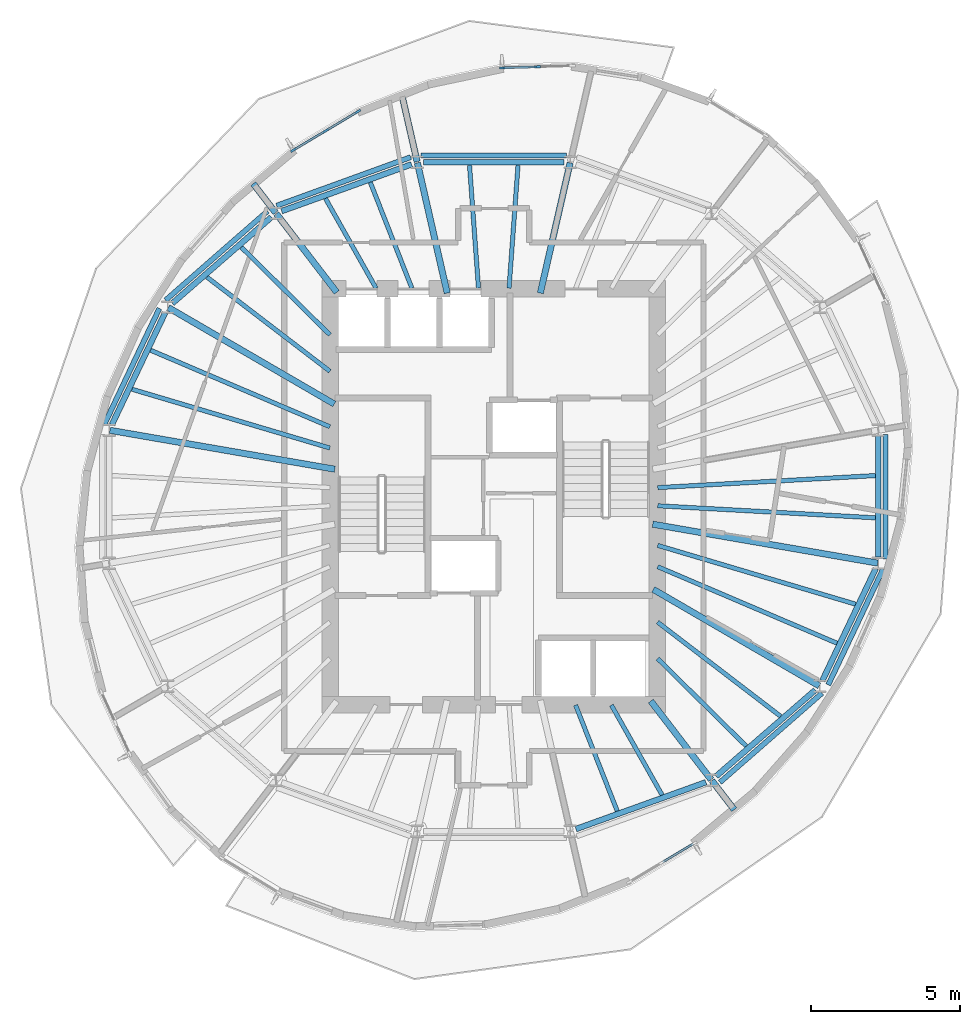
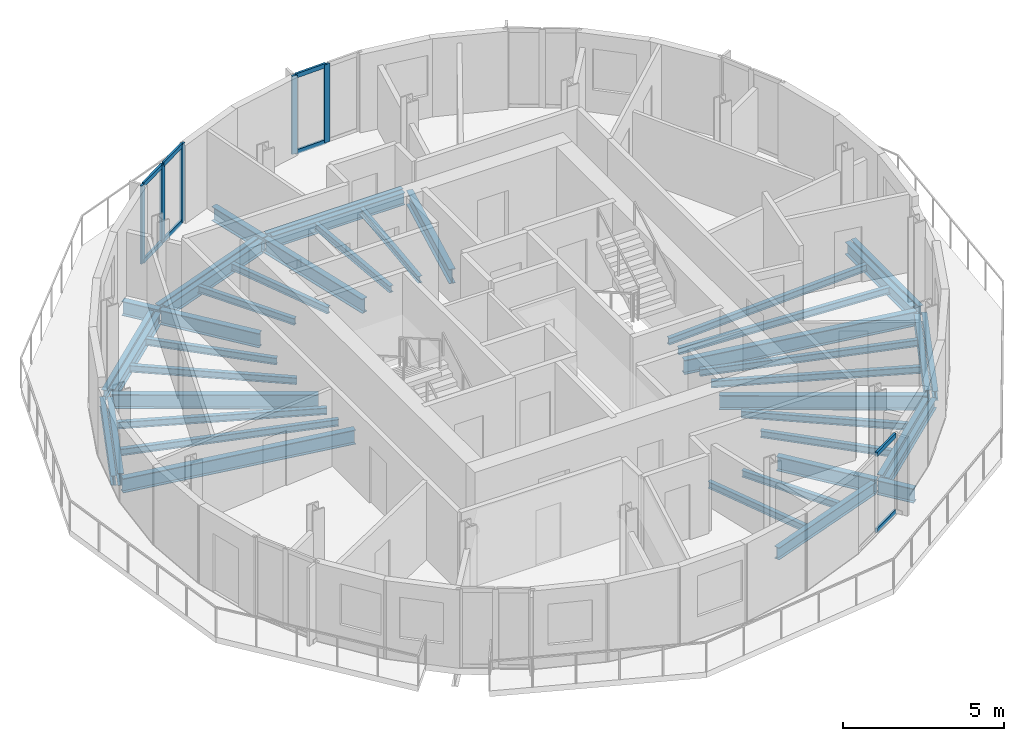
# One storey, part 2 of 11: 42 beams, 13 members, 3 elements without a shape of their own.
"""IFC4 building model written with IfcOpenShell, lengths in metres."""

from ifc_helpers import new_model, si_unit, direction, frame, origin, origin_2d, place, context, subcontext, project, spatial, rectangle, i_section, extrude, material, material_profile, profile_set, type_object, element, aggregate, save


model = new_model("IFC4")

# Units and contexts
model_context = context("Model", 3, precision=1e-05, world=origin(), true_north=direction((0.0, 1.0)))
body_context = subcontext(model_context, "Body", "Model", "MODEL_VIEW")
ifc_project = project(units=[si_unit("LENGTHUNIT", "METRE"), si_unit("AREAUNIT", "SQUARE_METRE"), si_unit("VOLUMEUNIT", "CUBIC_METRE"), si_unit("PLANEANGLEUNIT", "RADIAN"), si_unit("MASSUNIT", "GRAM", prefix="KILO")], contexts=[model_context])

# Site, building, storey
site_placement = place(None, origin())
site = spatial("IfcSite", under=ifc_project, at=site_placement, CompositionType="ELEMENT")
building_placement = place(site_placement, origin())
building = spatial("IfcBuilding", under=site, at=building_placement, Name="Veldorim Arch Residences", CompositionType="ELEMENT")
storey_placement = place(building_placement, frame((0.0, 0.0, 211.0400390625)))
storey = spatial("IfcBuildingStorey", under=building, at=storey_placement, Name="L63", CompositionType="ELEMENT", Elevation=211.0400390625)

# Beams
ifc_material_1 = material(Name="Steel S355", Category="steel")
ifc_material_profile_1 = material_profile(ifc_material_1, i_section(OverallWidth=0.2119140625, OverallDepth=0.54443359375, WebThickness=0.0126953125, FlangeThickness=0.021240234375, at=origin_2d()), Name="UB533x210x122")
ifc_profile_set_1 = profile_set([ifc_material_profile_1], Name="Steel S355")
beam_type_1 = type_object("IfcBeamType", Name="Structural Steel Beam UB533x210x122", PredefinedType="BEAM", material=ifc_profile_set_1)
for number, where, z_axis, x_axis, name in (
    (1, (33.567626953125, 30.853759765625, -0.512451171875), (0.222952976993, 0.97482920045, 0.0), (-0.97482920045, 0.222952976993, 0.0), "L63 radial floor girder 04"),
    (2, (30.432373046875, 30.853759765625, -0.512451171875), (-0.222952976993, 0.97482920045, 0.0), (-0.97482920045, -0.222952976993, 0.0), "L63 radial floor girder 05"),
):
    element("IfcBeam", number, at=place(storey_placement, frame(where, z_axis=z_axis, x_axis=x_axis)), inside=storey, type_object=beam_type_1, Name=name, PredefinedType="BEAM", context=body_context, shape_type="SweptSolid", body=[
        extrude(i_section(OverallWidth=0.2119140625, OverallDepth=0.54443359375, WebThickness=0.0126953125, FlangeThickness=0.021240234375, at=origin_2d()), origin(), (0.0, 0.0, 1.0), 4.49951171875),
    ])
beam_1_placement = place(storey_placement, frame((29.42041015625, 35.27880859375, -0.512451171875), z_axis=(-0.222989981251, 0.974820736475, 0.0), x_axis=(-0.974820736475, -0.222989981251, 0.0)))
element("IfcBeam", 3, at=beam_1_placement, inside=storey, type_object=beam_type_1, Name="L63 radial edge cantilever girder 05", PredefinedType="BEAM", context=body_context, shape_type="SweptSolid", body=[
    extrude(i_section(OverallWidth=0.2119140625, OverallDepth=0.54443359375, WebThickness=0.0126953125, FlangeThickness=0.021240234375, at=origin_2d()), origin(), (0.0, 0.0, 1.0), 2.32763671875),
])
beam_2_placement = place(storey_placement, frame((26.71337890625, 30.881103515625, -0.512451171875), z_axis=(-0.609258442308, 0.792971721108, 0.0), x_axis=(-0.792971721108, -0.609258442308, 0.0)))
element("IfcBeam", 4, at=beam_2_placement, inside=storey, type_object=beam_type_1, Name="L63 radial floor girder 06", PredefinedType="BEAM", context=body_context, shape_type="SweptSolid", body=[
    extrude(i_section(OverallWidth=0.2119140625, OverallDepth=0.54443359375, WebThickness=0.0126953125, FlangeThickness=0.021240234375, at=origin_2d()), origin(), (0.0, 0.0, 1.0), 3.339599609375),
])
beam_3_placement = place(storey_placement, frame((24.654296875, 33.561279296875, -0.512451171875), z_axis=(-0.609308621958, 0.792933164401, 0.0), x_axis=(-0.792933164401, -0.609308621958, 0.0)))
element("IfcBeam", 5, at=beam_3_placement, inside=storey, type_object=beam_type_1, Name="L63 radial edge cantilever girder 06", PredefinedType="BEAM", context=body_context, shape_type="SweptSolid", body=[
    extrude(i_section(OverallWidth=0.2119140625, OverallDepth=0.54443359375, WebThickness=0.0126953125, FlangeThickness=0.021240234375, at=origin_2d()), origin(), (0.0, 0.0, 1.0), 1.232421875),
])
beam_4_placement = place(storey_placement, frame((26.629638671875, 27.12060546875, -0.512451171875), z_axis=(-0.864595736304, 0.502468121142, 0.0), x_axis=(-0.502468121142, -0.864595736304, 0.0)))
element("IfcBeam", 6, at=beam_4_placement, inside=storey, type_object=beam_type_1, Name="L63 radial floor girder 07", PredefinedType="BEAM", context=body_context, shape_type="SweptSolid", body=[
    extrude(i_section(OverallWidth=0.2119140625, OverallDepth=0.54443359375, WebThickness=0.0126953125, FlangeThickness=0.021240234375, at=origin_2d()), origin(), (0.0, 0.0, 1.0), 6.462646484375),
])
beam_5_placement = place(storey_placement, frame((26.647705078125, 24.92578125, -0.512451171875), z_axis=(-0.985364974081, 0.170457818401, 0.0), x_axis=(-0.170457818401, -0.985364974081, 0.0)))
element("IfcBeam", 7, at=beam_5_placement, inside=storey, type_object=beam_type_1, Name="L63 radial floor girder 08", PredefinedType="BEAM", context=body_context, shape_type="SweptSolid", body=[
    extrude(i_section(OverallWidth=0.2119140625, OverallDepth=0.54443359375, WebThickness=0.0126953125, FlangeThickness=0.021240234375, at=origin_2d()), origin(), (0.0, 0.0, 1.0), 7.68701171875),
])
beam_6_placement = place(storey_placement, frame((37.28662109375, 17.118896484375, -0.512451171875), z_axis=(0.609258442308, -0.792971721108, 0.0), x_axis=(0.792971721108, 0.609258442308, 0.0)))
element("IfcBeam", 8, at=beam_6_placement, inside=storey, type_object=beam_type_1, Name="L63 radial floor girder 14", PredefinedType="BEAM", context=body_context, shape_type="SweptSolid", body=[
    extrude(i_section(OverallWidth=0.2119140625, OverallDepth=0.54443359375, WebThickness=0.0126953125, FlangeThickness=0.021240234375, at=origin_2d()), origin(), (0.0, 0.0, 1.0), 3.339599609375),
])
beam_7_placement = place(storey_placement, frame((39.345703125, 14.438720703125, -0.512451171875), z_axis=(0.609308621958, -0.792933164401, 0.0), x_axis=(0.792933164401, 0.609308621958, 0.0)))
element("IfcBeam", 9, at=beam_7_placement, inside=storey, type_object=beam_type_1, Name="L63 radial edge cantilever girder 14", PredefinedType="BEAM", context=body_context, shape_type="SweptSolid", body=[
    extrude(i_section(OverallWidth=0.2119140625, OverallDepth=0.54443359375, WebThickness=0.0126953125, FlangeThickness=0.021240234375, at=origin_2d()), origin(), (0.0, 0.0, 1.0), 1.232421875),
])
beam_8_placement = place(storey_placement, frame((37.370361328125, 20.87939453125, -0.512451171875), z_axis=(0.864595736304, -0.502468121142, 0.0), x_axis=(0.502468121142, 0.864595736304, 0.0)))
element("IfcBeam", 10, at=beam_8_placement, inside=storey, type_object=beam_type_1, Name="L63 radial floor girder 15", PredefinedType="BEAM", context=body_context, shape_type="SweptSolid", body=[
    extrude(i_section(OverallWidth=0.2119140625, OverallDepth=0.54443359375, WebThickness=0.0126953125, FlangeThickness=0.021240234375, at=origin_2d()), origin(), (0.0, 0.0, 1.0), 6.462646484375),
])
beam_9_placement = place(storey_placement, frame((37.352294921875, 23.07421875, -0.512451171875), z_axis=(0.985364974081, -0.170457818401, 0.0), x_axis=(0.170457818401, 0.985364974081, 0.0)))
element("IfcBeam", 11, at=beam_9_placement, inside=storey, type_object=beam_type_1, Name="L63 radial floor girder 16", PredefinedType="BEAM", context=body_context, shape_type="SweptSolid", body=[
    extrude(i_section(OverallWidth=0.2119140625, OverallDepth=0.54443359375, WebThickness=0.0126953125, FlangeThickness=0.021240234375, at=origin_2d()), origin(), (0.0, 0.0, 1.0), 7.68701171875),
])
ifc_material_2 = material(Name="Steel S355", Category="steel")
ifc_material_profile_2 = material_profile(ifc_material_2, i_section(OverallWidth=0.146484375, OverallDepth=0.256103515625, WebThickness=0.00634765625, FlangeThickness=0.010986328125, at=origin_2d()), Name="UB254x146x37")
ifc_profile_set_2 = profile_set([ifc_material_profile_2], Name="Steel S355")
beam_type_2 = type_object("IfcBeamType", Name="Structural Steel Joist UB254x146x37", PredefinedType="JOIST", material=ifc_profile_set_2)
for number, where, z_axis, x_axis, name in (
    (12, (32.513916015625, 31.02001953125, -0.367919921875), (0.072985625899, 0.997332992742, 0.0), (-0.997332992742, 0.072985625899, 0.0), "L63 secondary radial floor joist 04-1"),
    (13, (31.486083984375, 31.02001953125, -0.367919921875), (-0.072985625899, 0.997332992742, 0.0), (-0.997332992742, -0.072985625899, 0.0), "L63 secondary radial floor joist 04-2"),
):
    element("IfcBeam", number, at=place(storey_placement, frame(where, z_axis=z_axis, x_axis=x_axis)), inside=storey, type_object=beam_type_2, Name=name, PredefinedType="JOIST", context=body_context, shape_type="SweptSolid", body=[
        extrude(i_section(OverallWidth=0.146484375, OverallDepth=0.256103515625, WebThickness=0.00634765625, FlangeThickness=0.010986328125, at=origin_2d()), origin(), (0.0, 0.0, 1.0), 4.151123046875),
    ])
beam_10_placement = place(storey_placement, frame((29.24365234375, 31.0185546875, -0.367919921875), z_axis=(-0.365581383042, 0.930779379001, 0.0), x_axis=(-0.930779379001, -0.365581383042, 0.0)))
element("IfcBeam", 14, at=beam_10_placement, inside=storey, type_object=beam_type_2, Name="L63 secondary radial floor joist 05-1", PredefinedType="JOIST", context=body_context, shape_type="SweptSolid", body=[
    extrude(i_section(OverallWidth=0.146484375, OverallDepth=0.256103515625, WebThickness=0.00634765625, FlangeThickness=0.010986328125, at=origin_2d()), origin(), (0.0, 0.0, 1.0), 3.83056640625),
])
beam_11_placement = place(storey_placement, frame((28.039794921875, 31.017333984375, -0.367919921875), z_axis=(-0.491452469585, 0.870904397818, 0.0), x_axis=(-0.870904397818, -0.491452469585, 0.0)))
element("IfcBeam", 15, at=beam_11_placement, inside=storey, type_object=beam_type_2, Name="L63 secondary radial floor joist 05-2", PredefinedType="JOIST", context=body_context, shape_type="SweptSolid", body=[
    extrude(i_section(OverallWidth=0.146484375, OverallDepth=0.256103515625, WebThickness=0.00634765625, FlangeThickness=0.010986328125, at=origin_2d()), origin(), (0.0, 0.0, 1.0), 3.472412109375),
])
beam_12_placement = place(storey_placement, frame((26.48583984375, 29.44775390625, -0.367919921875), z_axis=(-0.711396725432, 0.702790650937, 0.0), x_axis=(-0.702790650937, -0.711396725432, 0.0)))
element("IfcBeam", 16, at=beam_12_placement, inside=storey, type_object=beam_type_2, Name="L63 secondary radial floor joist 06-1", PredefinedType="JOIST", context=body_context, shape_type="SweptSolid", body=[
    extrude(i_section(OverallWidth=0.146484375, OverallDepth=0.256103515625, WebThickness=0.00634765625, FlangeThickness=0.010986328125, at=origin_2d()), origin(), (0.0, 0.0, 1.0), 4.198486328125),
])
beam_13_placement = place(storey_placement, frame((26.484130859375, 28.222900390625, -0.367919921875), z_axis=(-0.794013672216, 0.607899899929, 0.0), x_axis=(-0.607899899929, -0.794013672216, 0.0)))
element("IfcBeam", 17, at=beam_13_placement, inside=storey, type_object=beam_type_2, Name="L63 secondary radial floor joist 06-2", PredefinedType="JOIST", context=body_context, shape_type="SweptSolid", body=[
    extrude(i_section(OverallWidth=0.146484375, OverallDepth=0.256103515625, WebThickness=0.00634765625, FlangeThickness=0.010986328125, at=origin_2d()), origin(), (0.0, 0.0, 1.0), 5.217041015625),
])
beam_14_placement = place(storey_placement, frame((26.481689453125, 26.355712890625, -0.367919921875), z_axis=(-0.919725161652, 0.392562895629, 0.0), x_axis=(-0.392562895629, -0.919725161652, 0.0)))
element("IfcBeam", 18, at=beam_14_placement, inside=storey, type_object=beam_type_2, Name="L63 secondary radial floor joist 07-1", PredefinedType="JOIST", context=body_context, shape_type="SweptSolid", body=[
    extrude(i_section(OverallWidth=0.146484375, OverallDepth=0.256103515625, WebThickness=0.00634765625, FlangeThickness=0.010986328125, at=origin_2d()), origin(), (0.0, 0.0, 1.0), 6.5625),
])
beam_15_placement = place(storey_placement, frame((26.480712890625, 25.639404296875, -0.367919921875), z_axis=(-0.958594432792, 0.284774846889, 0.0), x_axis=(-0.284774846889, -0.958594432792, 0.0)))
element("IfcBeam", 19, at=beam_15_placement, inside=storey, type_object=beam_type_2, Name="L63 secondary radial floor joist 07-2", PredefinedType="JOIST", context=body_context, shape_type="SweptSolid", body=[
    extrude(i_section(OverallWidth=0.146484375, OverallDepth=0.256103515625, WebThickness=0.00634765625, FlangeThickness=0.010986328125, at=origin_2d()), origin(), (0.0, 0.0, 1.0), 6.949462890625),
])
beam_16_placement = place(storey_placement, frame((34.75634765625, 16.9814453125, -0.367919921875), z_axis=(0.365581383042, -0.930779379001, 0.0), x_axis=(0.930779379001, 0.365581383042, 0.0)))
element("IfcBeam", 20, at=beam_16_placement, inside=storey, type_object=beam_type_2, Name="L63 secondary radial floor joist 13-1", PredefinedType="JOIST", context=body_context, shape_type="SweptSolid", body=[
    extrude(i_section(OverallWidth=0.146484375, OverallDepth=0.256103515625, WebThickness=0.00634765625, FlangeThickness=0.010986328125, at=origin_2d()), origin(), (0.0, 0.0, 1.0), 3.83056640625),
])
beam_17_placement = place(storey_placement, frame((35.960205078125, 16.982666015625, -0.367919921875), z_axis=(0.491452469585, -0.870904397818, 0.0), x_axis=(0.870904397818, 0.491452469585, 0.0)))
element("IfcBeam", 21, at=beam_17_placement, inside=storey, type_object=beam_type_2, Name="L63 secondary radial floor joist 13-2", PredefinedType="JOIST", context=body_context, shape_type="SweptSolid", body=[
    extrude(i_section(OverallWidth=0.146484375, OverallDepth=0.256103515625, WebThickness=0.00634765625, FlangeThickness=0.010986328125, at=origin_2d()), origin(), (0.0, 0.0, 1.0), 3.472412109375),
])
beam_18_placement = place(storey_placement, frame((37.51416015625, 18.55224609375, -0.367919921875), z_axis=(0.711396725432, -0.702790650937, 0.0), x_axis=(0.702790650937, 0.711396725432, 0.0)))
element("IfcBeam", 22, at=beam_18_placement, inside=storey, type_object=beam_type_2, Name="L63 secondary radial floor joist 14-1", PredefinedType="JOIST", context=body_context, shape_type="SweptSolid", body=[
    extrude(i_section(OverallWidth=0.146484375, OverallDepth=0.256103515625, WebThickness=0.00634765625, FlangeThickness=0.010986328125, at=origin_2d()), origin(), (0.0, 0.0, 1.0), 4.198486328125),
])
beam_19_placement = place(storey_placement, frame((37.515869140625, 19.777099609375, -0.367919921875), z_axis=(0.794013672216, -0.607899899929, 0.0), x_axis=(0.607899899929, 0.794013672216, 0.0)))
element("IfcBeam", 23, at=beam_19_placement, inside=storey, type_object=beam_type_2, Name="L63 secondary radial floor joist 14-2", PredefinedType="JOIST", context=body_context, shape_type="SweptSolid", body=[
    extrude(i_section(OverallWidth=0.146484375, OverallDepth=0.256103515625, WebThickness=0.00634765625, FlangeThickness=0.010986328125, at=origin_2d()), origin(), (0.0, 0.0, 1.0), 5.217041015625),
])
beam_20_placement = place(storey_placement, frame((37.518310546875, 21.644287109375, -0.367919921875), z_axis=(0.919725161652, -0.392562895629, 0.0), x_axis=(0.392562895629, 0.919725161652, 0.0)))
element("IfcBeam", 24, at=beam_20_placement, inside=storey, type_object=beam_type_2, Name="L63 secondary radial floor joist 15-1", PredefinedType="JOIST", context=body_context, shape_type="SweptSolid", body=[
    extrude(i_section(OverallWidth=0.146484375, OverallDepth=0.256103515625, WebThickness=0.00634765625, FlangeThickness=0.010986328125, at=origin_2d()), origin(), (0.0, 0.0, 1.0), 6.5625),
])
beam_21_placement = place(storey_placement, frame((37.519287109375, 22.360595703125, -0.367919921875), z_axis=(0.958594432792, -0.284774846889, 0.0), x_axis=(0.284774846889, 0.958594432792, 0.0)))
element("IfcBeam", 25, at=beam_21_placement, inside=storey, type_object=beam_type_2, Name="L63 secondary radial floor joist 15-2", PredefinedType="JOIST", context=body_context, shape_type="SweptSolid", body=[
    extrude(i_section(OverallWidth=0.146484375, OverallDepth=0.256103515625, WebThickness=0.00634765625, FlangeThickness=0.010986328125, at=origin_2d()), origin(), (0.0, 0.0, 1.0), 6.949462890625),
])
for number, where, z_axis, x_axis, name in (
    (26, (37.52001953125, 23.6943359375, -0.367919921875), (0.998472000884, -0.055259962464, 0.0), (0.055259962464, 0.998472000884, 0.0), "L63 secondary radial floor joist 16-1"),
    (27, (37.52001953125, 24.3056640625, -0.367919921875), (0.998472000884, 0.055259962464, 0.0), (-0.055259962464, 0.998472000884, 0.0), "L63 secondary radial floor joist 16-2"),
):
    element("IfcBeam", number, at=place(storey_placement, frame(where, z_axis=z_axis, x_axis=x_axis)), inside=storey, type_object=beam_type_2, Name=name, PredefinedType="JOIST", context=body_context, shape_type="SweptSolid", body=[
        extrude(i_section(OverallWidth=0.146484375, OverallDepth=0.256103515625, WebThickness=0.00634765625, FlangeThickness=0.010986328125, at=origin_2d()), origin(), (0.0, 0.0, 1.0), 7.33837890625),
    ])
ifc_material_3 = material(Name="Steel S355", Category="steel")
ifc_material_profile_3 = material_profile(ifc_material_3, i_section(OverallWidth=0.172119140625, OverallDepth=0.35791015625, WebThickness=0.008056640625, FlangeThickness=0.012939453125, at=origin_2d()), Name="UB356x171x57")
ifc_profile_set_3 = profile_set([ifc_material_profile_3], Name="Steel S355")
beam_type_3 = type_object("IfcBeamType", Name="Structural Steel Spandrel UB356x171x57", PredefinedType="SPANDREL", material=ifc_profile_set_3)
beam_22_placement = place(storey_placement, frame((34.44970703125, 35.493408203125, -0.43896484375), z_axis=(-1.0, 0.0, 0.0), x_axis=(0.0, -1.0, 0.0)))
element("IfcBeam", 28, at=beam_22_placement, inside=storey, type_object=beam_type_3, Name="L63 perimeter chord spandrel beam 04", PredefinedType="SPANDREL", context=body_context, shape_type="SweptSolid", body=[
    extrude(i_section(OverallWidth=0.172119140625, OverallDepth=0.35791015625, WebThickness=0.008056640625, FlangeThickness=0.012939453125, at=origin_2d()), origin(), (0.0, 0.0, 1.0), 4.8994140625),
])
beam_23_placement = place(storey_placement, frame((29.202880859375, 35.432373046875, -0.43896484375), z_axis=(-0.940178823137, -0.340681347486, 0.0), x_axis=(0.340681347486, -0.940178823137, 0.0)))
element("IfcBeam", 29, at=beam_23_placement, inside=storey, type_object=beam_type_3, Name="L63 perimeter chord spandrel beam 05", PredefinedType="SPANDREL", context=body_context, shape_type="SweptSolid", body=[
    extrude(i_section(OverallWidth=0.172119140625, OverallDepth=0.35791015625, WebThickness=0.008056640625, FlangeThickness=0.012939453125, at=origin_2d()), origin(), (0.0, 0.0, 1.0), 4.80126953125),
])
beam_24_placement = place(storey_placement, frame((24.385498046875, 33.617919921875, -0.43896484375), z_axis=(-0.752868439096, -0.658171036596, 0.0), x_axis=(0.658171036596, -0.752868439096, 0.0)))
element("IfcBeam", 30, at=beam_24_placement, inside=storey, type_object=beam_type_3, Name="L63 perimeter chord spandrel beam 06", PredefinedType="SPANDREL", context=body_context, shape_type="SweptSolid", body=[
    extrude(i_section(OverallWidth=0.172119140625, OverallDepth=0.35791015625, WebThickness=0.008056640625, FlangeThickness=0.012939453125, at=origin_2d()), origin(), (0.0, 0.0, 1.0), 4.560791015625),
])
beam_25_placement = place(storey_placement, frame((20.740478515625, 30.336669921875, -0.43896484375), z_axis=(-0.428468601304, -0.903556670994, 0.0), x_axis=(0.903556670994, -0.428468601304, 0.0)))
element("IfcBeam", 31, at=beam_25_placement, inside=storey, type_object=beam_type_3, Name="L63 perimeter chord spandrel beam 07", PredefinedType="SPANDREL", context=body_context, shape_type="SweptSolid", body=[
    extrude(i_section(OverallWidth=0.172119140625, OverallDepth=0.35791015625, WebThickness=0.008056640625, FlangeThickness=0.012939453125, at=origin_2d()), origin(), (0.0, 0.0, 1.0), 4.31005859375),
])
beam_26_placement = place(storey_placement, frame((39.614501953125, 14.382080078125, -0.43896484375), z_axis=(0.752868439096, 0.658171036596, 0.0), x_axis=(-0.658171036596, 0.752868439096, 0.0)))
element("IfcBeam", 32, at=beam_26_placement, inside=storey, type_object=beam_type_3, Name="L63 perimeter chord spandrel beam 14", PredefinedType="SPANDREL", context=body_context, shape_type="SweptSolid", body=[
    extrude(i_section(OverallWidth=0.172119140625, OverallDepth=0.35791015625, WebThickness=0.008056640625, FlangeThickness=0.012939453125, at=origin_2d()), origin(), (0.0, 0.0, 1.0), 4.560791015625),
])
beam_27_placement = place(storey_placement, frame((43.259521484375, 17.663330078125, -0.43896484375), z_axis=(0.428468601304, 0.903556670994, 0.0), x_axis=(-0.903556670994, 0.428468601304, 0.0)))
element("IfcBeam", 33, at=beam_27_placement, inside=storey, type_object=beam_type_3, Name="L63 perimeter chord spandrel beam 15", PredefinedType="SPANDREL", context=body_context, shape_type="SweptSolid", body=[
    extrude(i_section(OverallWidth=0.172119140625, OverallDepth=0.35791015625, WebThickness=0.008056640625, FlangeThickness=0.012939453125, at=origin_2d()), origin(), (0.0, 0.0, 1.0), 4.31005859375),
])
beam_28_placement = place(storey_placement, frame((45.182861328125, 21.898681640625, -0.43896484375), z_axis=(0.0, 1.0, 0.0), x_axis=(-1.0, 0.0, 0.0)))
element("IfcBeam", 34, at=beam_28_placement, inside=storey, type_object=beam_type_3, Name="L63 perimeter chord spandrel beam 16", PredefinedType="SPANDREL", context=body_context, shape_type="SweptSolid", body=[
    extrude(i_section(OverallWidth=0.172119140625, OverallDepth=0.35791015625, WebThickness=0.008056640625, FlangeThickness=0.012939453125, at=origin_2d()), origin(), (0.0, 0.0, 1.0), 4.20263671875),
])
ifc_material_4 = material(Name="Steel S355", Category="steel")
ifc_material_profile_4 = material_profile(ifc_material_4, i_section(OverallWidth=0.19140625, OverallDepth=0.4599609375, WebThickness=0.010009765625, FlangeThickness=0.01611328125, at=origin_2d()), Name="UB457x191x82")
ifc_profile_set_4 = profile_set([ifc_material_profile_4], Name="Steel S355")
beam_type_4 = type_object("IfcBeamType", Name="Structural Steel Spandrel UB457x191x82", PredefinedType="SPANDREL", material=ifc_profile_set_4)
beam_29_placement = place(storey_placement, frame((34.37158203125, 35.259521484375, -0.469970703125), z_axis=(-1.0, 0.0, 0.0), x_axis=(0.0, -1.0, 0.0)))
element("IfcBeam", 35, at=beam_29_placement, inside=storey, type_object=beam_type_4, Name="L63 perimeter ring tie beam 04", PredefinedType="SPANDREL", context=body_context, shape_type="SweptSolid", body=[
    extrude(i_section(OverallWidth=0.19140625, OverallDepth=0.4599609375, WebThickness=0.010009765625, FlangeThickness=0.01611328125, at=origin_2d()), origin(), (0.0, 0.0, 1.0), 4.7431640625),
])
beam_30_placement = place(storey_placement, frame((29.2333984375, 35.1904296875, -0.469970703125), z_axis=(-0.940819134121, -0.338909068736, 0.0), x_axis=(0.338909068736, -0.940819134121, 0.0)))
element("IfcBeam", 36, at=beam_30_placement, inside=storey, type_object=beam_type_4, Name="L63 perimeter ring tie beam 05", PredefinedType="SPANDREL", context=body_context, shape_type="SweptSolid", body=[
    extrude(i_section(OverallWidth=0.19140625, OverallDepth=0.4599609375, WebThickness=0.010009765625, FlangeThickness=0.01611328125, at=origin_2d()), origin(), (0.0, 0.0, 1.0), 4.650634765625),
])
beam_31_placement = place(storey_placement, frame((24.512939453125, 33.411865234375, -0.469970703125), z_axis=(-0.754534162517, -0.656260769508, 0.0), x_axis=(0.656260769508, -0.754534162517, 0.0)))
element("IfcBeam", 37, at=beam_31_placement, inside=storey, type_object=beam_type_4, Name="L63 perimeter ring tie beam 06", PredefinedType="SPANDREL", context=body_context, shape_type="SweptSolid", body=[
    extrude(i_section(OverallWidth=0.19140625, OverallDepth=0.4599609375, WebThickness=0.010009765625, FlangeThickness=0.01611328125, at=origin_2d()), origin(), (0.0, 0.0, 1.0), 4.419677734375),
])
beam_32_placement = place(storey_placement, frame((20.93701171875, 30.194091796875, -0.469970703125), z_axis=(-0.429992574394, -0.902832424078, 0.0), x_axis=(0.902832424078, -0.429992574394, 0.0)))
element("IfcBeam", 38, at=beam_32_placement, inside=storey, type_object=beam_type_4, Name="L63 perimeter ring tie beam 07", PredefinedType="SPANDREL", context=body_context, shape_type="SweptSolid", body=[
    extrude(i_section(OverallWidth=0.19140625, OverallDepth=0.4599609375, WebThickness=0.010009765625, FlangeThickness=0.01611328125, at=origin_2d()), origin(), (0.0, 0.0, 1.0), 4.176513671875),
])
beam_33_placement = place(storey_placement, frame((34.7666015625, 12.8095703125, -0.469970703125), z_axis=(0.940819134121, 0.338909068736, 0.0), x_axis=(-0.338909068736, 0.940819134121, 0.0)))
element("IfcBeam", 39, at=beam_33_placement, inside=storey, type_object=beam_type_4, Name="L63 perimeter ring tie beam 13", PredefinedType="SPANDREL", context=body_context, shape_type="SweptSolid", body=[
    extrude(i_section(OverallWidth=0.19140625, OverallDepth=0.4599609375, WebThickness=0.010009765625, FlangeThickness=0.01611328125, at=origin_2d()), origin(), (0.0, 0.0, 1.0), 4.650634765625),
])
beam_34_placement = place(storey_placement, frame((39.487060546875, 14.588134765625, -0.469970703125), z_axis=(0.754534162517, 0.656260769508, 0.0), x_axis=(-0.656260769508, 0.754534162517, 0.0)))
element("IfcBeam", 40, at=beam_34_placement, inside=storey, type_object=beam_type_4, Name="L63 perimeter ring tie beam 14", PredefinedType="SPANDREL", context=body_context, shape_type="SweptSolid", body=[
    extrude(i_section(OverallWidth=0.19140625, OverallDepth=0.4599609375, WebThickness=0.010009765625, FlangeThickness=0.01611328125, at=origin_2d()), origin(), (0.0, 0.0, 1.0), 4.419677734375),
])
beam_35_placement = place(storey_placement, frame((43.06298828125, 17.805908203125, -0.469970703125), z_axis=(0.429992574394, 0.902832424078, 0.0), x_axis=(-0.902832424078, 0.429992574394, 0.0)))
element("IfcBeam", 41, at=beam_35_placement, inside=storey, type_object=beam_type_4, Name="L63 perimeter ring tie beam 15", PredefinedType="SPANDREL", context=body_context, shape_type="SweptSolid", body=[
    extrude(i_section(OverallWidth=0.19140625, OverallDepth=0.4599609375, WebThickness=0.010009765625, FlangeThickness=0.01611328125, at=origin_2d()), origin(), (0.0, 0.0, 1.0), 4.176513671875),
])
beam_36_placement = place(storey_placement, frame((44.9462890625, 21.9638671875, -0.469970703125), z_axis=(0.0, 1.0, 0.0), x_axis=(-1.0, 0.0, 0.0)))
element("IfcBeam", 42, at=beam_36_placement, inside=storey, type_object=beam_type_4, Name="L63 perimeter ring tie beam 16", PredefinedType="SPANDREL", context=body_context, shape_type="SweptSolid", body=[
    extrude(i_section(OverallWidth=0.19140625, OverallDepth=0.4599609375, WebThickness=0.010009765625, FlangeThickness=0.01611328125, at=origin_2d()), origin(), (0.0, 0.0, 1.0), 4.072265625),
])

# Curtain wall, members
ifc_material_5 = material(Name="Aluminium", Category="aluminium")
curtain_wall_type = type_object("IfcCurtainWallType", Name="Zone 4 High-Altitude Unitised Curtain Wall", PredefinedType="NOTDEFINED", material=ifc_material_5)
curtain_wall_1_placement = place(storey_placement, origin())
curtain_wall_1 = element("IfcCurtainWall", 43, at=curtain_wall_1_placement, inside=storey, type_object=curtain_wall_type, Name="L63 unitised curtain wall bay 04", PredefinedType="NOTDEFINED")
ifc_material_6 = material(Name="Aluminium", Category="aluminium")
ifc_material_profile_5 = material_profile(ifc_material_6, rectangle(XDim=0.074951171875, YDim=0.195068359375, at=origin_2d()), Name="ALU_MUL_75x195")
ifc_profile_set_5 = profile_set([ifc_material_profile_5], Name="Aluminium")
member_type_1 = type_object("IfcMemberType", Name="Zone 4 High-Altitude Unitised Curtain Wall Mullion 75x195", PredefinedType="MULLION", material=ifc_profile_set_5)
member_1_placement = place(storey_placement, frame((32.285400390625, 38.43603515625, 0.0), z_axis=(0.0, 0.0, 1.0), x_axis=(-0.030834608084, 0.999524500422, 0.0)))
member_1 = element("IfcMember", 44, at=member_1_placement, type_object=member_type_1, Name="CW-Z4 mullion 1", PredefinedType="MULLION", context=body_context, shape_type="SweptSolid", body=[
    extrude(rectangle(XDim=0.074951171875, YDim=0.195068359375, at=origin_2d()), origin(), (0.0, 0.0, 1.0), 2.9599609375),
])
member_2_placement = place(storey_placement, frame((33.468505859375, 38.47265625, 0.0), z_axis=(0.0, 0.0, 1.0), x_axis=(-0.030834608084, 0.999524500422, 0.0)))
member_2 = element("IfcMember", 45, at=member_2_placement, type_object=member_type_1, Name="CW-Z4 mullion 2", PredefinedType="MULLION", context=body_context, shape_type="SweptSolid", body=[
    extrude(rectangle(XDim=0.074951171875, YDim=0.195068359375, at=origin_2d()), origin(), (0.0, 0.0, 1.0), 2.9599609375),
])

curtain_wall_2_placement = place(storey_placement, origin())
curtain_wall_2 = element("IfcCurtainWall", 46, at=curtain_wall_2_placement, inside=storey, type_object=curtain_wall_type, Name="L63 unitised curtain wall bay 07", PredefinedType="NOTDEFINED")
member_3_placement = place(storey_placement, frame((25.251708984375, 35.6689453125, 0.0), z_axis=(0.0, 0.0, 1.0), x_axis=(-0.512816771325, 0.85849808331, 0.0)))
member_3 = element("IfcMember", 47, at=member_3_placement, type_object=member_type_1, Name="CW-Z4 mullion 1", PredefinedType="MULLION", context=body_context, shape_type="SweptSolid", body=[
    extrude(rectangle(XDim=0.074951171875, YDim=0.195068359375, at=origin_2d()), origin(), (0.0, 0.0, 1.0), 2.9599609375),
])
member_4_placement = place(storey_placement, frame((26.340576171875, 36.3193359375, 0.0), z_axis=(0.0, 0.0, 1.0), x_axis=(-0.512816771325, 0.85849808331, 0.0)))
member_4 = element("IfcMember", 48, at=member_4_placement, type_object=member_type_1, Name="CW-Z4 mullion 2", PredefinedType="MULLION", context=body_context, shape_type="SweptSolid", body=[
    extrude(rectangle(XDim=0.074951171875, YDim=0.195068359375, at=origin_2d()), origin(), (0.0, 0.0, 1.0), 2.9599609375),
])
member_5_placement = place(storey_placement, frame((27.429443359375, 36.9697265625, 0.0), z_axis=(0.0, 0.0, 1.0), x_axis=(-0.512816771325, 0.85849808331, 0.0)))
member_5 = element("IfcMember", 49, at=member_5_placement, type_object=member_type_1, Name="CW-Z4 mullion 3", PredefinedType="MULLION", context=body_context, shape_type="SweptSolid", body=[
    extrude(rectangle(XDim=0.074951171875, YDim=0.195068359375, at=origin_2d()), origin(), (0.0, 0.0, 1.0), 2.9599609375),
])

# Member
ifc_material_7 = material(Name="Aluminium", Category="aluminium")
ifc_material_profile_6 = material_profile(ifc_material_7, rectangle(XDim=0.074951171875, YDim=0.1650390625, at=origin_2d()), Name="ALU_TRN_75x165")
ifc_profile_set_6 = profile_set([ifc_material_profile_6], Name="Aluminium")
member_type_2 = type_object("IfcMemberType", Name="Zone 4 High-Altitude Unitised Curtain Wall Transom 75x165", PredefinedType="USERDEFINED", material=ifc_profile_set_6)
member_6_placement = place(storey_placement, frame((32.322998046875, 38.437255859375, 0.037353515625), z_axis=(0.999524459818, 0.030835924278, 0.0), x_axis=(-0.030835924278, 0.999524459818, 0.0)))
member_6 = element("IfcMember", 50, at=member_6_placement, type_object=member_type_2, Name="CW-Z4 transom 1.1", ObjectType="TRANSOM", PredefinedType="USERDEFINED", context=body_context, shape_type="SweptSolid", body=[
    extrude(rectangle(XDim=0.074951171875, YDim=0.1650390625, at=origin_2d()), origin(), (0.0, 0.0, 1.0), 1.1083984375),
])

member_7_placement = place(storey_placement, frame((32.322998046875, 38.437255859375, 2.92236328125), z_axis=(0.999524459818, 0.030835924278, 0.0), x_axis=(-0.030835924278, 0.999524459818, 0.0)))
member_7 = element("IfcMember", 51, at=member_7_placement, type_object=member_type_2, Name="CW-Z4 transom 1.2", ObjectType="TRANSOM", PredefinedType="USERDEFINED", context=body_context, shape_type="SweptSolid", body=[
    extrude(rectangle(XDim=0.074951171875, YDim=0.1650390625, at=origin_2d()), origin(), (0.0, 0.0, 1.0), 1.1083984375),
])

aggregate(curtain_wall_1, [member_1, member_2, member_6, member_7])

member_8_placement = place(storey_placement, frame((25.283935546875, 35.68798828125, 0.037353515625), z_axis=(0.858448189445, 0.512900288593, 0.0), x_axis=(-0.512900288593, 0.858448189445, 0.0)))
member_8 = element("IfcMember", 52, at=member_8_placement, type_object=member_type_2, Name="CW-Z4 transom 1.1", ObjectType="TRANSOM", PredefinedType="USERDEFINED", context=body_context, shape_type="SweptSolid", body=[
    extrude(rectangle(XDim=0.074951171875, YDim=0.1650390625, at=origin_2d()), origin(), (0.0, 0.0, 1.0), 1.193359375),
])

member_9_placement = place(storey_placement, frame((25.283935546875, 35.68798828125, 2.92236328125), z_axis=(0.858448189445, 0.512900288593, 0.0), x_axis=(-0.512900288593, 0.858448189445, 0.0)))
member_9 = element("IfcMember", 53, at=member_9_placement, type_object=member_type_2, Name="CW-Z4 transom 1.2", ObjectType="TRANSOM", PredefinedType="USERDEFINED", context=body_context, shape_type="SweptSolid", body=[
    extrude(rectangle(XDim=0.074951171875, YDim=0.1650390625, at=origin_2d()), origin(), (0.0, 0.0, 1.0), 1.193359375),
])

member_10_placement = place(storey_placement, frame((26.372802734375, 36.33837890625, 0.037353515625), z_axis=(0.858448189445, 0.512900288593, 0.0), x_axis=(-0.512900288593, 0.858448189445, 0.0)))
member_10 = element("IfcMember", 54, at=member_10_placement, type_object=member_type_2, Name="CW-Z4 transom 2.1", ObjectType="TRANSOM", PredefinedType="USERDEFINED", context=body_context, shape_type="SweptSolid", body=[
    extrude(rectangle(XDim=0.074951171875, YDim=0.1650390625, at=origin_2d()), origin(), (0.0, 0.0, 1.0), 1.193359375),
])

member_11_placement = place(storey_placement, frame((26.372802734375, 36.33837890625, 2.92236328125), z_axis=(0.858448189445, 0.512900288593, 0.0), x_axis=(-0.512900288593, 0.858448189445, 0.0)))
member_11 = element("IfcMember", 55, at=member_11_placement, type_object=member_type_2, Name="CW-Z4 transom 2.2", ObjectType="TRANSOM", PredefinedType="USERDEFINED", context=body_context, shape_type="SweptSolid", body=[
    extrude(rectangle(XDim=0.074951171875, YDim=0.1650390625, at=origin_2d()), origin(), (0.0, 0.0, 1.0), 1.193359375),
])

aggregate(curtain_wall_2, [member_3, member_4, member_5, member_8, member_9, member_10, member_11])

# Curtain wall, members
curtain_wall_3_placement = place(storey_placement, origin())
curtain_wall_3 = element("IfcCurtainWall", 56, at=curtain_wall_3_placement, inside=storey, type_object=curtain_wall_type, Name="L63 unitised curtain wall bay 25", PredefinedType="NOTDEFINED")
member_12_placement = place(storey_placement, frame((38.716064453125, 12.31201171875, 0.037353515625), z_axis=(-0.858448189445, -0.512900288593, 0.0), x_axis=(0.512900288593, -0.858448189445, 0.0)))
member_12 = element("IfcMember", 57, at=member_12_placement, type_object=member_type_2, Name="CW-Z4 transom 1.1", ObjectType="TRANSOM", PredefinedType="USERDEFINED", context=body_context, shape_type="SweptSolid", body=[
    extrude(rectangle(XDim=0.074951171875, YDim=0.1650390625, at=origin_2d()), origin(), (0.0, 0.0, 1.0), 1.193359375),
])
member_13_placement = place(storey_placement, frame((38.716064453125, 12.31201171875, 2.92236328125), z_axis=(-0.858448189445, -0.512900288593, 0.0), x_axis=(0.512900288593, -0.858448189445, 0.0)))
member_13 = element("IfcMember", 58, at=member_13_placement, type_object=member_type_2, Name="CW-Z4 transom 1.2", ObjectType="TRANSOM", PredefinedType="USERDEFINED", context=body_context, shape_type="SweptSolid", body=[
    extrude(rectangle(XDim=0.074951171875, YDim=0.1650390625, at=origin_2d()), origin(), (0.0, 0.0, 1.0), 1.193359375),
])
aggregate(curtain_wall_3, [member_12, member_13])

save(model, "model.ifc")
